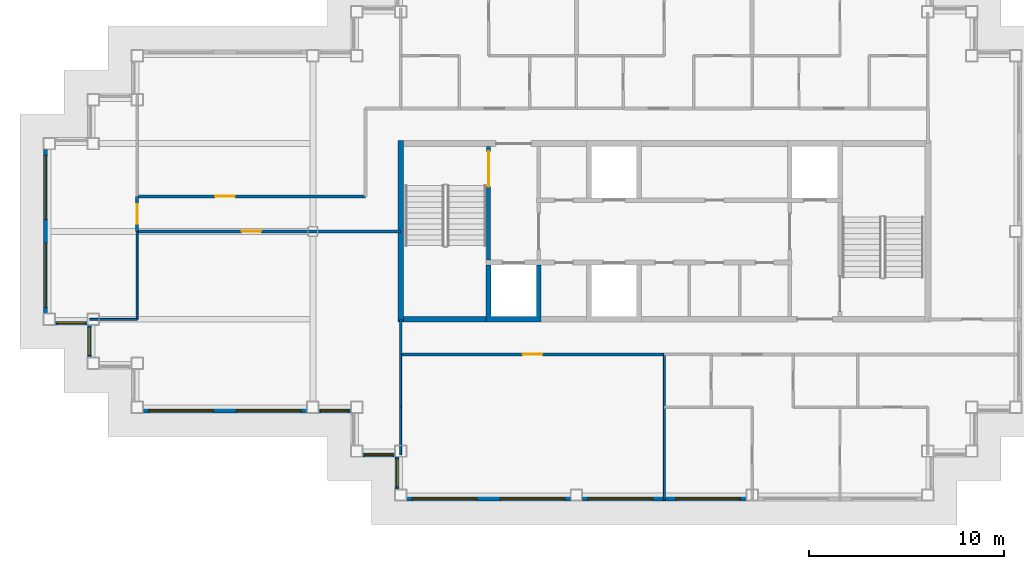
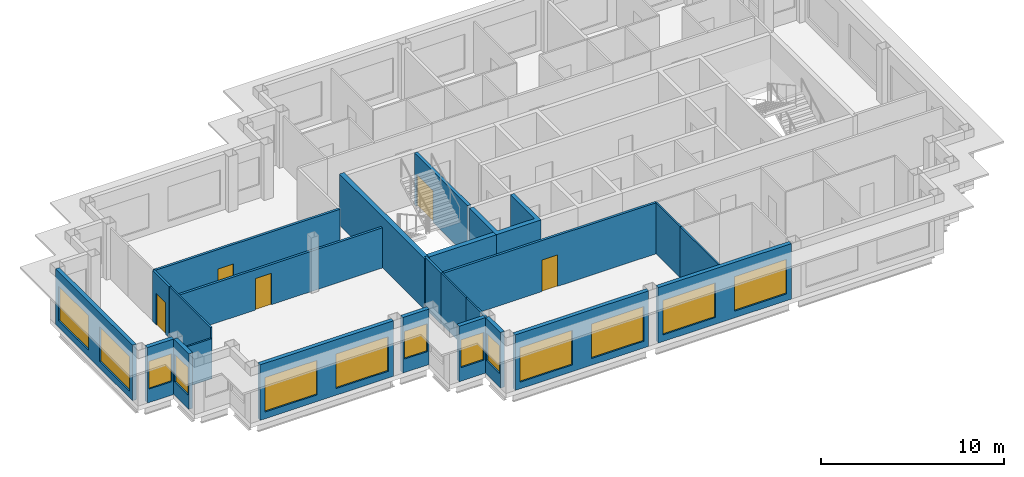
# One storey, part 2 of 11: 24 walls, 13 windows, 5 doors, 18 openings.
"""IFC4 building model written with IfcOpenShell, lengths in metres."""

from ifc_helpers import new_model, si_unit, direction, frame, frame_2d, origin, place, context, subcontext, project, spatial, polyline, rectangle, outline, extrude, material, layer, layer_set, type_object, element, fill, save


model = new_model("IFC4")

# Units and contexts
model_context = context("Model", 3, precision=1e-05, world=origin(), true_north=direction((0.0, 1.0)))
body_context = subcontext(model_context, "Body", "Model", "MODEL_VIEW")
ifc_project = project(units=[si_unit("LENGTHUNIT", "METRE"), si_unit("AREAUNIT", "SQUARE_METRE"), si_unit("VOLUMEUNIT", "CUBIC_METRE"), si_unit("PLANEANGLEUNIT", "RADIAN"), si_unit("MASSUNIT", "GRAM", prefix="KILO")], contexts=[model_context])

# Site, building, storey
site_placement = place(None, origin())
site = spatial("IfcSite", under=ifc_project, at=site_placement, CompositionType="ELEMENT")
building_placement = place(site_placement, origin())
building = spatial("IfcBuilding", under=site, at=building_placement, Name="Caravel Reach Hotel and Residences", CompositionType="ELEMENT")
storey_placement = place(building_placement, frame((0.0, 0.0, 271.199951171875)))
storey = spatial("IfcBuildingStorey", under=building, at=storey_placement, Name="L69", CompositionType="ELEMENT", Elevation=271.199951171875)

# Walls
ifc_material_1 = material(Name="Gypsum board on steel stud", Category="steel")
ifc_layer_1 = layer(ifc_material_1, 0.10009765625)
ifc_layer_set_1 = layer_set([ifc_layer_1], Name="Bathroom pod wall 100 mm")
wall_type_1 = type_object("IfcWallType", Name="Bathroom pod wall 100 mm", PredefinedType="PARTITIONING", material=ifc_layer_set_1)
wall_1_placement = place(storey_placement, frame((31.5, 18.0, 0.0), z_axis=(0.0, 0.0, 1.0), x_axis=(0.0, 1.0, 0.0)))
element("IfcWall", 1, at=wall_1_placement, inside=storey, type_object=wall_type_1, Name="L69 wall w066", PredefinedType="PARTITIONING", context=body_context, shape_type="SweptSolid", body=[
    extrude(rectangle(XDim=2.699951171875, YDim=0.10009765625, at=frame_2d((1.35009765625, 0.0))), origin(), (0.0, 0.0, 1.0), 3.400146484375),
])
ifc_material_2 = material(Name="Concrete C60", Category="concrete")
ifc_layer_2 = layer(ifc_material_2, 0.300048828125)
ifc_layer_set_2 = layer_set([ifc_layer_2], Name="Core wall 300 mm EI 120")
wall_type_2 = type_object("IfcWallType", Name="Core wall 300 mm EI 120", PredefinedType="SHEAR", material=ifc_layer_set_2)
wall_2_placement = place(storey_placement, frame((18.14990234375, 22.5, 0.0), z_axis=(0.0, 0.0, 1.0), x_axis=(1.0, 0.0, 0.0)))
element("IfcWall", 2, at=wall_2_placement, inside=storey, type_object=wall_type_2, Name="L69 core wall S1", PredefinedType="SHEAR", context=body_context, shape_type="SweptSolid", body=[
    extrude(rectangle(XDim=4.22509765625, YDim=0.300048828125, at=frame_2d((2.112548828125, 0.0))), origin(), (0.0, 0.0, 1.0), 3.400146484375),
])
wall_3_placement = place(storey_placement, frame((18.0, 22.35009765625, 0.0), z_axis=(0.0, 0.0, 1.0), x_axis=(0.0, 1.0, 0.0)))
element("IfcWall", 3, at=wall_3_placement, inside=storey, type_object=wall_type_2, Name="L69 core wall W", PredefinedType="SHEAR", context=body_context, shape_type="SweptSolid", body=[
    extrude(rectangle(XDim=9.2998046875, YDim=0.300048828125, at=frame_2d((4.64990234375, 0.0))), origin(), (0.0, 0.0, 1.0), 3.400146484375),
])

# Wall, opening, door
ifc_material_3 = material(Name="Gypsum board on steel stud, fire-rated", Category="steel")
ifc_layer_3 = layer(ifc_material_3, 0.14990234375)
ifc_layer_set_3 = layer_set([ifc_layer_3], Name="Corridor wall 150 mm EI 60")
wall_type_3 = type_object("IfcWallType", Name="Corridor wall 150 mm EI 60", PredefinedType="PARTITIONING", material=ifc_layer_set_3)
wall_4_placement = place(storey_placement, frame((18.0, 20.699951171875, 0.0), z_axis=(0.0, 0.0, 1.0), x_axis=(1.0, 0.0, 0.0)))
wall_4 = element("IfcWall", 4, at=wall_4_placement, inside=storey, type_object=wall_type_3, Name="L69 wall w001", PredefinedType="PARTITIONING", context=body_context, shape_type="SweptSolid", body=[
    extrude(rectangle(XDim=13.5, YDim=0.14990234375, at=frame_2d((6.75, 0.0))), origin(), (0.0, 0.0, 1.0), 3.400146484375),
])
opening_1_placement = place(wall_4_placement, frame((6.25, 0.0, 0.0)))
opening_1 = element("IfcOpeningElement", 5, at=opening_1_placement, cuts=wall_4, Name="Opening D69-031", PredefinedType="OPENING", context=body_context, shape_type="SweptSolid", body=[
    extrude(rectangle(XDim=1.0, YDim=2.10009765625, at=frame_2d((0.5, 1.050048828125))), frame((0.0, 0.0849609375, 0.0), z_axis=(0.0, -1.0, 0.0), x_axis=(1.0, 0.0, 0.0)), (0.0, 0.0, 1.0), 0.169921875),
])
ifc_material_4 = material(Name="Steel fire door leaf", Category="steel")
door_type_1 = type_object("IfcDoorType", Name="Fire door 1000 x 2100 EI 60", OperationType="SINGLE_SWING_LEFT", PredefinedType="DOOR", material=ifc_material_4)
door_1_placement = place(opening_1_placement, origin())
door_1 = element("IfcDoor", 6, at=door_1_placement, inside=storey, type_object=door_type_1, Name="door D69-031", OperationType="SINGLE_SWING_RIGHT", OverallHeight=2.10009765625, OverallWidth=1.0, PredefinedType="DOOR", context=body_context, shape_type="SweptSolid", body=[
    extrude(rectangle(XDim=1.0, YDim=2.10009765625, at=frame_2d((0.5, 1.050048828125))), frame((0.0, 0.02490234375, 0.0), z_axis=(0.0, -1.0, 0.0), x_axis=(1.0, 0.0, 0.0)), (0.0, 0.0, 1.0), 0.050048828125),
])
fill(opening_1, door_1)

wall_5_placement = place(storey_placement, frame((4.5, 27.0, 0.0), z_axis=(0.0, 0.0, 1.0), x_axis=(1.0, 0.0, 0.0)))
wall_5 = element("IfcWall", 7, at=wall_5_placement, inside=storey, type_object=wall_type_3, Name="L69 wall w007", PredefinedType="PARTITIONING", context=body_context, shape_type="SweptSolid", body=[
    extrude(rectangle(XDim=13.5, YDim=0.14990234375, at=frame_2d((6.75, 0.0))), origin(), (0.0, 0.0, 1.0), 2.679931640625),
])
opening_2_placement = place(wall_5_placement, frame((5.35009765625, 0.0, 0.0)))
opening_2 = element("IfcOpeningElement", 8, at=opening_2_placement, cuts=wall_5, Name="Opening D69-030", PredefinedType="OPENING", context=body_context, shape_type="SweptSolid", body=[
    extrude(rectangle(XDim=1.0, YDim=2.10009765625, at=frame_2d((0.5, 1.050048828125))), frame((0.0, 0.0849609375, 0.0), z_axis=(0.0, -1.0, 0.0), x_axis=(1.0, 0.0, 0.0)), (0.0, 0.0, 1.0), 0.169921875),
])
door_2_placement = place(opening_2_placement, origin())
door_2 = element("IfcDoor", 9, at=door_2_placement, inside=storey, type_object=door_type_1, Name="door D69-030", OperationType="SINGLE_SWING_LEFT", OverallHeight=2.10009765625, OverallWidth=1.0, PredefinedType="DOOR", context=body_context, shape_type="SweptSolid", body=[
    extrude(rectangle(XDim=1.0, YDim=2.10009765625, at=frame_2d((0.5, 1.050048828125))), frame((0.0, 0.02490234375, 0.0), z_axis=(0.0, -1.0, 0.0), x_axis=(1.0, 0.0, 0.0)), (0.0, 0.0, 1.0), 0.050048828125),
])
fill(opening_2, door_2)

wall_6_placement = place(storey_placement, frame((4.5, 28.800048828125, 0.0), z_axis=(0.0, 0.0, 1.0), x_axis=(1.0, 0.0, 0.0)))
wall_6 = element("IfcWall", 10, at=wall_6_placement, inside=storey, type_object=wall_type_3, Name="L69 wall w008", PredefinedType="PARTITIONING", context=body_context, shape_type="SweptSolid", body=[
    extrude(rectangle(XDim=11.698974609375, YDim=0.14990234375, at=frame_2d((5.849609375, 0.0))), origin(), (0.0, 0.0, 1.0), 3.400146484375),
])
opening_3_placement = place(wall_6_placement, frame((4.0, 0.0, 0.0)))
opening_3 = element("IfcOpeningElement", 11, at=opening_3_placement, cuts=wall_6, Name="Opening D69-029", PredefinedType="OPENING", context=body_context, shape_type="SweptSolid", body=[
    extrude(rectangle(XDim=1.0, YDim=2.10009765625, at=frame_2d((0.5, 1.050048828125))), frame((0.0, 0.0849609375, 0.0), z_axis=(0.0, -1.0, 0.0), x_axis=(1.0, 0.0, 0.0)), (0.0, 0.0, 1.0), 0.169921875),
])
door_3_placement = place(opening_3_placement, origin())
door_3 = element("IfcDoor", 12, at=door_3_placement, inside=storey, type_object=door_type_1, Name="door D69-029", OperationType="SINGLE_SWING_LEFT", OverallHeight=2.10009765625, OverallWidth=1.0, PredefinedType="DOOR", context=body_context, shape_type="SweptSolid", body=[
    extrude(rectangle(XDim=1.0, YDim=2.10009765625, at=frame_2d((0.5, 1.050048828125))), frame((0.0, 0.02490234375, 0.0), z_axis=(0.0, -1.0, 0.0), x_axis=(1.0, 0.0, 0.0)), (0.0, 0.0, 1.0), 0.050048828125),
])
fill(opening_3, door_3)

# Wall
wall_7_placement = place(storey_placement, frame((18.0, 20.699951171875, 0.0), z_axis=(0.0, 0.0, 1.0), x_axis=(0.0, 1.0, 0.0)))
element("IfcWall", 13, at=wall_7_placement, inside=storey, type_object=wall_type_3, Name="L69 wall w018", PredefinedType="PARTITIONING", context=body_context, shape_type="SweptSolid", body=[
    extrude(rectangle(XDim=1.800048828125, YDim=0.14990234375, at=frame_2d((0.89990234375, 0.0))), origin(), (0.0, 0.0, 1.0), 3.400146484375),
])

# Wall, opening, door
wall_8_placement = place(storey_placement, frame((4.5, 27.0, 0.0), z_axis=(0.0, 0.0, 1.0), x_axis=(0.0, 1.0, 0.0)))
wall_8 = element("IfcWall", 14, at=wall_8_placement, inside=storey, type_object=wall_type_3, Name="L69 wall w019", PredefinedType="PARTITIONING", context=body_context, shape_type="SweptSolid", body=[
    extrude(rectangle(XDim=1.800048828125, YDim=0.14990234375, at=frame_2d((0.89990234375, 0.0))), origin(), (0.0, 0.0, 1.0), 3.400146484375),
])
opening_4_placement = place(wall_8_placement, frame((0.39990234375, 0.0, 0.0)))
opening_4 = element("IfcOpeningElement", 15, at=opening_4_placement, cuts=wall_8, Name="Opening D69-038", PredefinedType="OPENING", context=body_context, shape_type="SweptSolid", body=[
    extrude(rectangle(XDim=1.0, YDim=2.10009765625, at=frame_2d((0.5, 1.050048828125))), frame((0.0, 0.0849609375, 0.0), z_axis=(0.0, -1.0, 0.0), x_axis=(1.0, 0.0, 0.0)), (0.0, 0.0, 1.0), 0.169921875),
])
door_4_placement = place(opening_4_placement, origin())
door_4 = element("IfcDoor", 16, at=door_4_placement, inside=storey, type_object=door_type_1, Name="door D69-038", OperationType="SINGLE_SWING_LEFT", OverallHeight=2.10009765625, OverallWidth=1.0, PredefinedType="DOOR", context=body_context, shape_type="SweptSolid", body=[
    extrude(rectangle(XDim=1.0, YDim=2.10009765625, at=frame_2d((0.5, 1.050048828125))), frame((0.0, 0.02490234375, 0.0), z_axis=(0.0, -1.0, 0.0), x_axis=(1.0, 0.0, 0.0)), (0.0, 0.0, 1.0), 0.050048828125),
])
fill(opening_4, door_4)

# Wall, opening, window
ifc_material_5 = material(Name="Insulated rainscreen wall, aluminium cladding", Category="aluminium")
ifc_layer_4 = layer(ifc_material_5, 0.25)
ifc_layer_set_4 = layer_set([ifc_layer_4], Name="EW1 Tower rainscreen wall")
wall_type_4 = type_object("IfcWallType", Name="EW1 Tower rainscreen wall", PredefinedType="SOLIDWALL", material=ifc_layer_set_4)
wall_9_placement = place(storey_placement, frame((16.050048828125, 15.574951171875, 0.0), z_axis=(0.0, 0.0, 1.0), x_axis=(1.0, 0.0, 0.0)))
wall_9 = element("IfcWall", 17, at=wall_9_placement, inside=storey, type_object=wall_type_4, Name="External wall L69 S2.1", PredefinedType="SOLIDWALL", context=body_context, shape_type="SweptSolid", body=[
    extrude(rectangle(XDim=1.64990234375, YDim=0.25, at=frame_2d((0.824951171875, 0.0))), origin(), (0.0, 0.0, 1.0), 3.699951171875),
])
opening_5_placement = place(wall_9_placement, frame((0.10009765625, 0.0, 0.89990234375)))
opening_5 = element("IfcOpeningElement", 18, at=opening_5_placement, cuts=wall_9, Name="Opening WN25", PredefinedType="OPENING", context=body_context, shape_type="SweptSolid", body=[
    extrude(rectangle(XDim=1.449951171875, YDim=1.85009765625, at=frame_2d((0.72509765625, 0.925048828125))), frame((0.0, 0.135009765625, 0.0), z_axis=(0.0, -1.0, 0.0), x_axis=(1.0, 0.0, 0.0)), (0.0, 0.0, 1.0), 0.27001953125),
])
ifc_material_6 = material(Name="Dark low-e glazing in black aluminium frame", Category="aluminium")
window_type_1 = type_object("IfcWindowType", Name="Residence bedroom window 1450 x 1850", PartitioningType="SINGLE_PANEL", PredefinedType="WINDOW", material=ifc_material_6)
window_1_placement = place(opening_5_placement, origin())
window_1 = element("IfcWindow", 19, at=window_1_placement, inside=storey, type_object=window_type_1, Name="Window L69 S2.1.1", OverallHeight=1.85009765625, OverallWidth=1.449951171875, PartitioningType="SINGLE_PANEL", PredefinedType="WINDOW", context=body_context, shape_type="SweptSolid", body=[
    extrude(rectangle(XDim=1.449951171875, YDim=1.85009765625, at=frame_2d((0.72509765625, 0.925048828125))), frame((0.0, 0.030029296875, 0.0), z_axis=(0.0, -1.0, 0.0), x_axis=(1.0, 0.0, 0.0)), (0.0, 0.0, 1.0), 0.06005859375),
])
fill(opening_5, window_1)

wall_10_placement = place(storey_placement, frame((17.824951171875, 15.449951171875, 0.0), z_axis=(0.0, 0.0, 1.0), x_axis=(0.0, -1.0, 0.0)))
wall_10 = element("IfcWall", 20, at=wall_10_placement, inside=storey, type_object=wall_type_4, Name="External wall L69 W3.1", PredefinedType="SOLIDWALL", context=body_context, shape_type="SweptSolid", body=[
    extrude(rectangle(XDim=1.64990234375, YDim=0.25, at=frame_2d((0.824951171875, 0.0))), origin(), (0.0, 0.0, 1.0), 3.699951171875),
])
opening_6_placement = place(wall_10_placement, frame((0.10009765625, 0.0, 0.89990234375)))
opening_6 = element("IfcOpeningElement", 21, at=opening_6_placement, cuts=wall_10, Name="Opening WN25", PredefinedType="OPENING", context=body_context, shape_type="SweptSolid", body=[
    extrude(rectangle(XDim=1.449951171875, YDim=1.85009765625, at=frame_2d((0.72509765625, 0.925048828125))), frame((0.0, 0.135009765625, 0.0), z_axis=(0.0, -1.0, 0.0), x_axis=(1.0, 0.0, 0.0)), (0.0, 0.0, 1.0), 0.27001953125),
])
window_2_placement = place(opening_6_placement, origin())
window_2 = element("IfcWindow", 22, at=window_2_placement, inside=storey, type_object=window_type_1, Name="Window L69 W3.1.1", OverallHeight=1.85009765625, OverallWidth=1.449951171875, PartitioningType="SINGLE_PANEL", PredefinedType="WINDOW", context=body_context, shape_type="SweptSolid", body=[
    extrude(rectangle(XDim=1.449951171875, YDim=1.85009765625, at=frame_2d((0.72509765625, 0.925048828125))), frame((0.0, 0.030029296875, 0.0), z_axis=(0.0, -1.0, 0.0), x_axis=(1.0, 0.0, 0.0)), (0.0, 0.0, 1.0), 0.06005859375),
])
fill(opening_6, window_2)

# Wall, openings, windows
wall_11_placement = place(storey_placement, frame((18.300048828125, 13.324951171875, 0.0), z_axis=(0.0, 0.0, 1.0), x_axis=(1.0, 0.0, 0.0)))
wall_11 = element("IfcWall", 23, at=wall_11_placement, inside=storey, type_object=wall_type_4, Name="External wall L69 S4.1", PredefinedType="SOLIDWALL", context=body_context, shape_type="SweptSolid", body=[
    extrude(rectangle(XDim=8.39990234375, YDim=0.25, at=frame_2d((4.199951171875, 0.0))), origin(), (0.0, 0.0, 1.0), 3.699951171875),
])
opening_7_placement = place(wall_11_placement, frame((0.300048828125, 0.0, 0.449951171875)))
opening_7 = element("IfcOpeningElement", 24, at=opening_7_placement, cuts=wall_11, Name="Opening WN15", PredefinedType="OPENING", context=body_context, shape_type="SweptSolid", body=[
    extrude(rectangle(XDim=3.300048828125, YDim=2.300048828125, at=frame_2d((1.64990234375, 1.14990234375))), frame((0.0, 0.135009765625, 0.0), z_axis=(0.0, -1.0, 0.0), x_axis=(1.0, 0.0, 0.0)), (0.0, 0.0, 1.0), 0.27001953125),
])
opening_8_placement = place(wall_11_placement, frame((4.800048828125, 0.0, 0.449951171875)))
opening_8 = element("IfcOpeningElement", 25, at=opening_8_placement, cuts=wall_11, Name="Opening WN15", PredefinedType="OPENING", context=body_context, shape_type="SweptSolid", body=[
    extrude(rectangle(XDim=3.300048828125, YDim=2.300048828125, at=frame_2d((1.64990234375, 1.14990234375))), frame((0.0, 0.135009765625, 0.0), z_axis=(0.0, -1.0, 0.0), x_axis=(1.0, 0.0, 0.0)), (0.0, 0.0, 1.0), 0.27001953125),
])
ifc_material_7 = material(Name="Dark low-e glazing in black aluminium frame", Category="aluminium")
window_type_2 = type_object("IfcWindowType", Name="Residence living window 3300 x 2300", PartitioningType="SINGLE_PANEL", PredefinedType="WINDOW", material=ifc_material_7)
window_3_placement = place(opening_7_placement, origin())
window_3 = element("IfcWindow", 26, at=window_3_placement, inside=storey, type_object=window_type_2, Name="Window L69 S4.1.1", OverallHeight=2.300048828125, OverallWidth=3.300048828125, PartitioningType="SINGLE_PANEL", PredefinedType="WINDOW", context=body_context, shape_type="SweptSolid", body=[
    extrude(rectangle(XDim=3.300048828125, YDim=2.300048828125, at=frame_2d((1.64990234375, 1.14990234375))), frame((0.0, 0.030029296875, 0.0), z_axis=(0.0, -1.0, 0.0), x_axis=(1.0, 0.0, 0.0)), (0.0, 0.0, 1.0), 0.06005859375),
])
fill(opening_7, window_3)
window_4_placement = place(opening_8_placement, origin())
window_4 = element("IfcWindow", 27, at=window_4_placement, inside=storey, type_object=window_type_2, Name="Window L69 S4.1.2", OverallHeight=2.300048828125, OverallWidth=3.300048828125, PartitioningType="SINGLE_PANEL", PredefinedType="WINDOW", context=body_context, shape_type="SweptSolid", body=[
    extrude(rectangle(XDim=3.300048828125, YDim=2.300048828125, at=frame_2d((1.64990234375, 1.14990234375))), frame((0.0, 0.030029296875, 0.0), z_axis=(0.0, -1.0, 0.0), x_axis=(1.0, 0.0, 0.0)), (0.0, 0.0, 1.0), 0.06005859375),
])
fill(opening_8, window_4)

wall_12_placement = place(storey_placement, frame((27.300048828125, 13.324951171875, 0.0), z_axis=(0.0, 0.0, 1.0), x_axis=(1.0, 0.0, 0.0)))
wall_12 = element("IfcWall", 28, at=wall_12_placement, inside=storey, type_object=wall_type_4, Name="External wall L69 S4.2", PredefinedType="SOLIDWALL", context=body_context, shape_type="SweptSolid", body=[
    extrude(rectangle(XDim=8.39990234375, YDim=0.25, at=frame_2d((4.199951171875, 0.0))), origin(), (0.0, 0.0, 1.0), 3.699951171875),
])
opening_9_placement = place(wall_12_placement, frame((0.300048828125, 0.0, 0.449951171875)))
opening_9 = element("IfcOpeningElement", 29, at=opening_9_placement, cuts=wall_12, Name="Opening WN15", PredefinedType="OPENING", context=body_context, shape_type="SweptSolid", body=[
    extrude(rectangle(XDim=3.300048828125, YDim=2.300048828125, at=frame_2d((1.64990234375, 1.14990234375))), frame((0.0, 0.135009765625, 0.0), z_axis=(0.0, -1.0, 0.0), x_axis=(1.0, 0.0, 0.0)), (0.0, 0.0, 1.0), 0.27001953125),
])
opening_10_placement = place(wall_12_placement, frame((4.800048828125, 0.0, 0.449951171875)))
opening_10 = element("IfcOpeningElement", 30, at=opening_10_placement, cuts=wall_12, Name="Opening WN15", PredefinedType="OPENING", context=body_context, shape_type="SweptSolid", body=[
    extrude(rectangle(XDim=3.300048828125, YDim=2.300048828125, at=frame_2d((1.64990234375, 1.14990234375))), frame((0.0, 0.135009765625, 0.0), z_axis=(0.0, -1.0, 0.0), x_axis=(1.0, 0.0, 0.0)), (0.0, 0.0, 1.0), 0.27001953125),
])
window_5_placement = place(opening_9_placement, origin())
window_5 = element("IfcWindow", 31, at=window_5_placement, inside=storey, type_object=window_type_2, Name="Window L69 S4.2.1", OverallHeight=2.300048828125, OverallWidth=3.300048828125, PartitioningType="SINGLE_PANEL", PredefinedType="WINDOW", context=body_context, shape_type="SweptSolid", body=[
    extrude(rectangle(XDim=3.300048828125, YDim=2.300048828125, at=frame_2d((1.64990234375, 1.14990234375))), frame((0.0, 0.030029296875, 0.0), z_axis=(0.0, -1.0, 0.0), x_axis=(1.0, 0.0, 0.0)), (0.0, 0.0, 1.0), 0.06005859375),
])
fill(opening_9, window_5)
window_6_placement = place(opening_10_placement, origin())
window_6 = element("IfcWindow", 32, at=window_6_placement, inside=storey, type_object=window_type_2, Name="Window L69 S4.2.2", OverallHeight=2.300048828125, OverallWidth=3.300048828125, PartitioningType="SINGLE_PANEL", PredefinedType="WINDOW", context=body_context, shape_type="SweptSolid", body=[
    extrude(rectangle(XDim=3.300048828125, YDim=2.300048828125, at=frame_2d((1.64990234375, 1.14990234375))), frame((0.0, 0.030029296875, 0.0), z_axis=(0.0, -1.0, 0.0), x_axis=(1.0, 0.0, 0.0)), (0.0, 0.0, 1.0), 0.06005859375),
])
fill(opening_10, window_6)

wall_13_placement = place(storey_placement, frame((-0.175048828125, 31.199951171875, 0.0), z_axis=(0.0, 0.0, 1.0), x_axis=(0.0, -1.0, 0.0)))
wall_13 = element("IfcWall", 33, at=wall_13_placement, inside=storey, type_object=wall_type_4, Name="External wall L69 W23.1", PredefinedType="SOLIDWALL", context=body_context, shape_type="SweptSolid", body=[
    extrude(rectangle(XDim=8.39990234375, YDim=0.25, at=frame_2d((4.199951171875, 0.0))), origin(), (0.0, 0.0, 1.0), 3.699951171875),
])
opening_11_placement = place(wall_13_placement, frame((0.300048828125, 0.0, 0.449951171875)))
opening_11 = element("IfcOpeningElement", 34, at=opening_11_placement, cuts=wall_13, Name="Opening WN15", PredefinedType="OPENING", context=body_context, shape_type="SweptSolid", body=[
    extrude(rectangle(XDim=3.300048828125, YDim=2.300048828125, at=frame_2d((1.64990234375, 1.14990234375))), frame((0.0, 0.135009765625, 0.0), z_axis=(0.0, -1.0, 0.0), x_axis=(1.0, 0.0, 0.0)), (0.0, 0.0, 1.0), 0.27001953125),
])
opening_12_placement = place(wall_13_placement, frame((4.800048828125, 0.0, 0.449951171875)))
opening_12 = element("IfcOpeningElement", 35, at=opening_12_placement, cuts=wall_13, Name="Opening WN15", PredefinedType="OPENING", context=body_context, shape_type="SweptSolid", body=[
    extrude(rectangle(XDim=3.300048828125, YDim=2.300048828125, at=frame_2d((1.64990234375, 1.14990234375))), frame((0.0, 0.135009765625, 0.0), z_axis=(0.0, -1.0, 0.0), x_axis=(1.0, 0.0, 0.0)), (0.0, 0.0, 1.0), 0.27001953125),
])
window_7_placement = place(opening_11_placement, origin())
window_7 = element("IfcWindow", 36, at=window_7_placement, inside=storey, type_object=window_type_2, Name="Window L69 W23.1.1", OverallHeight=2.300048828125, OverallWidth=3.300048828125, PartitioningType="SINGLE_PANEL", PredefinedType="WINDOW", context=body_context, shape_type="SweptSolid", body=[
    extrude(rectangle(XDim=3.300048828125, YDim=2.300048828125, at=frame_2d((1.64990234375, 1.14990234375))), frame((0.0, 0.030029296875, 0.0), z_axis=(0.0, -1.0, 0.0), x_axis=(1.0, 0.0, 0.0)), (0.0, 0.0, 1.0), 0.06005859375),
])
fill(opening_11, window_7)
window_8_placement = place(opening_12_placement, origin())
window_8 = element("IfcWindow", 37, at=window_8_placement, inside=storey, type_object=window_type_2, Name="Window L69 W23.1.2", OverallHeight=2.300048828125, OverallWidth=3.300048828125, PartitioningType="SINGLE_PANEL", PredefinedType="WINDOW", context=body_context, shape_type="SweptSolid", body=[
    extrude(rectangle(XDim=3.300048828125, YDim=2.300048828125, at=frame_2d((1.64990234375, 1.14990234375))), frame((0.0, 0.030029296875, 0.0), z_axis=(0.0, -1.0, 0.0), x_axis=(1.0, 0.0, 0.0)), (0.0, 0.0, 1.0), 0.06005859375),
])
fill(opening_12, window_8)

# Wall, opening, window
wall_14_placement = place(storey_placement, frame((0.300048828125, 22.324951171875, 0.0), z_axis=(0.0, 0.0, 1.0), x_axis=(1.0, 0.0, 0.0)))
wall_14 = element("IfcWall", 38, at=wall_14_placement, inside=storey, type_object=wall_type_4, Name="External wall L69 S24.1", PredefinedType="SOLIDWALL", context=body_context, shape_type="SweptSolid", body=[
    extrude(rectangle(XDim=1.64990234375, YDim=0.25, at=frame_2d((0.824951171875, 0.0))), origin(), (0.0, 0.0, 1.0), 3.699951171875),
])
opening_13_placement = place(wall_14_placement, frame((0.10009765625, 0.0, 0.89990234375)))
opening_13 = element("IfcOpeningElement", 39, at=opening_13_placement, cuts=wall_14, Name="Opening WN25", PredefinedType="OPENING", context=body_context, shape_type="SweptSolid", body=[
    extrude(rectangle(XDim=1.449951171875, YDim=1.85009765625, at=frame_2d((0.72509765625, 0.925048828125))), frame((0.0, 0.135009765625, 0.0), z_axis=(0.0, -1.0, 0.0), x_axis=(1.0, 0.0, 0.0)), (0.0, 0.0, 1.0), 0.27001953125),
])
window_9_placement = place(opening_13_placement, origin())
window_9 = element("IfcWindow", 40, at=window_9_placement, inside=storey, type_object=window_type_1, Name="Window L69 S24.1.1", OverallHeight=1.85009765625, OverallWidth=1.449951171875, PartitioningType="SINGLE_PANEL", PredefinedType="WINDOW", context=body_context, shape_type="SweptSolid", body=[
    extrude(rectangle(XDim=1.449951171875, YDim=1.85009765625, at=frame_2d((0.72509765625, 0.925048828125))), frame((0.0, 0.030029296875, 0.0), z_axis=(0.0, -1.0, 0.0), x_axis=(1.0, 0.0, 0.0)), (0.0, 0.0, 1.0), 0.06005859375),
])
fill(opening_13, window_9)

wall_15_placement = place(storey_placement, frame((2.074951171875, 22.199951171875, 0.0), z_axis=(0.0, 0.0, 1.0), x_axis=(0.0, -1.0, 0.0)))
wall_15 = element("IfcWall", 41, at=wall_15_placement, inside=storey, type_object=wall_type_4, Name="External wall L69 W25.1", PredefinedType="SOLIDWALL", context=body_context, shape_type="SweptSolid", body=[
    extrude(rectangle(XDim=1.64990234375, YDim=0.25, at=frame_2d((0.824951171875, 0.0))), origin(), (0.0, 0.0, 1.0), 3.699951171875),
])
opening_14_placement = place(wall_15_placement, frame((0.10009765625, 0.0, 0.89990234375)))
opening_14 = element("IfcOpeningElement", 42, at=opening_14_placement, cuts=wall_15, Name="Opening WN25", PredefinedType="OPENING", context=body_context, shape_type="SweptSolid", body=[
    extrude(rectangle(XDim=1.449951171875, YDim=1.85009765625, at=frame_2d((0.72509765625, 0.925048828125))), frame((0.0, 0.135009765625, 0.0), z_axis=(0.0, -1.0, 0.0), x_axis=(1.0, 0.0, 0.0)), (0.0, 0.0, 1.0), 0.27001953125),
])
window_10_placement = place(opening_14_placement, origin())
window_10 = element("IfcWindow", 43, at=window_10_placement, inside=storey, type_object=window_type_1, Name="Window L69 W25.1.1", OverallHeight=1.85009765625, OverallWidth=1.449951171875, PartitioningType="SINGLE_PANEL", PredefinedType="WINDOW", context=body_context, shape_type="SweptSolid", body=[
    extrude(rectangle(XDim=1.449951171875, YDim=1.85009765625, at=frame_2d((0.72509765625, 0.925048828125))), frame((0.0, 0.030029296875, 0.0), z_axis=(0.0, -1.0, 0.0), x_axis=(1.0, 0.0, 0.0)), (0.0, 0.0, 1.0), 0.06005859375),
])
fill(opening_14, window_10)

# Wall, openings, windows
wall_16_placement = place(storey_placement, frame((4.800048828125, 17.824951171875, 0.0), z_axis=(0.0, 0.0, 1.0), x_axis=(1.0, 0.0, 0.0)))
wall_16 = element("IfcWall", 44, at=wall_16_placement, inside=storey, type_object=wall_type_4, Name="External wall L69 S28.1", PredefinedType="SOLIDWALL", context=body_context, shape_type="SweptSolid", body=[
    extrude(rectangle(XDim=8.39990234375, YDim=0.25, at=frame_2d((4.199951171875, 0.0))), origin(), (0.0, 0.0, 1.0), 3.699951171875),
])
opening_15_placement = place(wall_16_placement, frame((0.300048828125, 0.0, 0.449951171875)))
opening_15 = element("IfcOpeningElement", 45, at=opening_15_placement, cuts=wall_16, Name="Opening WN15", PredefinedType="OPENING", context=body_context, shape_type="SweptSolid", body=[
    extrude(rectangle(XDim=3.300048828125, YDim=2.300048828125, at=frame_2d((1.64990234375, 1.14990234375))), frame((0.0, 0.135009765625, 0.0), z_axis=(0.0, -1.0, 0.0), x_axis=(1.0, 0.0, 0.0)), (0.0, 0.0, 1.0), 0.27001953125),
])
opening_16_placement = place(wall_16_placement, frame((4.800048828125, 0.0, 0.449951171875)))
opening_16 = element("IfcOpeningElement", 46, at=opening_16_placement, cuts=wall_16, Name="Opening WN15", PredefinedType="OPENING", context=body_context, shape_type="SweptSolid", body=[
    extrude(rectangle(XDim=3.300048828125, YDim=2.300048828125, at=frame_2d((1.64990234375, 1.14990234375))), frame((0.0, 0.135009765625, 0.0), z_axis=(0.0, -1.0, 0.0), x_axis=(1.0, 0.0, 0.0)), (0.0, 0.0, 1.0), 0.27001953125),
])
window_11_placement = place(opening_15_placement, origin())
window_11 = element("IfcWindow", 47, at=window_11_placement, inside=storey, type_object=window_type_2, Name="Window L69 S28.1.1", OverallHeight=2.300048828125, OverallWidth=3.300048828125, PartitioningType="SINGLE_PANEL", PredefinedType="WINDOW", context=body_context, shape_type="SweptSolid", body=[
    extrude(rectangle(XDim=3.300048828125, YDim=2.300048828125, at=frame_2d((1.64990234375, 1.14990234375))), frame((0.0, 0.030029296875, 0.0), z_axis=(0.0, -1.0, 0.0), x_axis=(1.0, 0.0, 0.0)), (0.0, 0.0, 1.0), 0.06005859375),
])
fill(opening_15, window_11)
window_12_placement = place(opening_16_placement, origin())
window_12 = element("IfcWindow", 48, at=window_12_placement, inside=storey, type_object=window_type_2, Name="Window L69 S28.1.2", OverallHeight=2.300048828125, OverallWidth=3.300048828125, PartitioningType="SINGLE_PANEL", PredefinedType="WINDOW", context=body_context, shape_type="SweptSolid", body=[
    extrude(rectangle(XDim=3.300048828125, YDim=2.300048828125, at=frame_2d((1.64990234375, 1.14990234375))), frame((0.0, 0.030029296875, 0.0), z_axis=(0.0, -1.0, 0.0), x_axis=(1.0, 0.0, 0.0)), (0.0, 0.0, 1.0), 0.06005859375),
])
fill(opening_16, window_12)

# Wall, opening, window
wall_17_placement = place(storey_placement, frame((13.800048828125, 17.824951171875, 0.0), z_axis=(0.0, 0.0, 1.0), x_axis=(1.0, 0.0, 0.0)))
wall_17 = element("IfcWall", 49, at=wall_17_placement, inside=storey, type_object=wall_type_4, Name="External wall L69 S28.2", PredefinedType="SOLIDWALL", context=body_context, shape_type="SweptSolid", body=[
    extrude(rectangle(XDim=1.64990234375, YDim=0.25, at=frame_2d((0.824951171875, 0.0))), origin(), (0.0, 0.0, 1.0), 3.699951171875),
])
opening_17_placement = place(wall_17_placement, frame((0.10009765625, 0.0, 0.89990234375)))
opening_17 = element("IfcOpeningElement", 50, at=opening_17_placement, cuts=wall_17, Name="Opening WN25", PredefinedType="OPENING", context=body_context, shape_type="SweptSolid", body=[
    extrude(rectangle(XDim=1.449951171875, YDim=1.85009765625, at=frame_2d((0.72509765625, 0.925048828125))), frame((0.0, 0.135009765625, 0.0), z_axis=(0.0, -1.0, 0.0), x_axis=(1.0, 0.0, 0.0)), (0.0, 0.0, 1.0), 0.27001953125),
])
window_13_placement = place(opening_17_placement, origin())
window_13 = element("IfcWindow", 51, at=window_13_placement, inside=storey, type_object=window_type_1, Name="Window L69 S28.2.1", OverallHeight=1.85009765625, OverallWidth=1.449951171875, PartitioningType="SINGLE_PANEL", PredefinedType="WINDOW", context=body_context, shape_type="SweptSolid", body=[
    extrude(rectangle(XDim=1.449951171875, YDim=1.85009765625, at=frame_2d((0.72509765625, 0.925048828125))), frame((0.0, 0.030029296875, 0.0), z_axis=(0.0, -1.0, 0.0), x_axis=(1.0, 0.0, 0.0)), (0.0, 0.0, 1.0), 0.06005859375),
])
fill(opening_17, window_13)

# Walls
ifc_material_8 = material(Name="Gypsum board on steel stud", Category="steel")
ifc_layer_5 = layer(ifc_material_8, 0.10009765625)
ifc_layer_set_5 = layer_set([ifc_layer_5], Name="Partition 100 mm")
wall_type_5 = type_object("IfcWallType", Name="Partition 100 mm", PredefinedType="PARTITIONING", material=ifc_layer_set_5)
wall_18_placement = place(storey_placement, frame((2.06005859375, 22.5, 0.0), z_axis=(0.0, 0.0, 1.0), x_axis=(1.0, 0.0, 0.0)))
element("IfcWall", 52, at=wall_18_placement, inside=storey, type_object=wall_type_5, Name="L69 wall w025", PredefinedType="PARTITIONING", context=body_context, shape_type="SweptSolid", body=[
    extrude(rectangle(XDim=2.43896484375, YDim=0.10009765625, at=frame_2d((1.219482421875, 0.0))), origin(), (0.0, 0.0, 1.0), 2.679931640625),
])
wall_19_placement = place(storey_placement, frame((18.0, 15.56005859375, 0.0), z_axis=(0.0, 0.0, 1.0), x_axis=(0.0, 1.0, 0.0)))
element("IfcWall", 53, at=wall_19_placement, inside=storey, type_object=wall_type_5, Name="L69 wall w034", PredefinedType="PARTITIONING", context=body_context, shape_type="SweptSolid", body=[
    extrude(rectangle(XDim=2.43896484375, YDim=0.10009765625, at=frame_2d((1.219482421875, 0.0))), origin(), (0.0, 0.0, 1.0), 3.400146484375),
])
wall_20_placement = place(storey_placement, frame((18.0, 18.0, 0.0), z_axis=(0.0, 0.0, 1.0), x_axis=(0.0, 1.0, 0.0)))
element("IfcWall", 54, at=wall_20_placement, inside=storey, type_object=wall_type_5, Name="L69 wall w035", PredefinedType="PARTITIONING", context=body_context, shape_type="SweptSolid", body=[
    extrude(rectangle(XDim=2.699951171875, YDim=0.10009765625, at=frame_2d((1.35009765625, 0.0))), origin(), (0.0, 0.0, 1.0), 3.400146484375),
])
wall_21_placement = place(storey_placement, frame((31.5, 13.260009765625, 0.0), z_axis=(0.0, 0.0, 1.0), x_axis=(0.0, 1.0, 0.0)))
element("IfcWall", 55, at=wall_21_placement, inside=storey, type_object=wall_type_5, Name="L69 wall w039", PredefinedType="PARTITIONING", context=body_context, shape_type="SweptSolid", body=[
    extrude(rectangle(XDim=4.739990234375, YDim=0.10009765625, at=frame_2d((2.3701171875, 0.0))), origin(), (0.0, 0.0, 1.0), 3.400146484375),
])
wall_22_placement = place(storey_placement, frame((4.5, 22.5, 0.0), z_axis=(0.0, 0.0, 1.0), x_axis=(0.0, 1.0, 0.0)))
element("IfcWall", 56, at=wall_22_placement, inside=storey, type_object=wall_type_5, Name="L69 wall w045", PredefinedType="PARTITIONING", context=body_context, shape_type="SweptSolid", body=[
    extrude(rectangle(XDim=4.5, YDim=0.10009765625, at=frame_2d((2.25, 0.0))), origin(), (0.0, 0.0, 1.0), 3.400146484375),
])
ifc_material_9 = material(Name="Concrete C60", Category="concrete")
ifc_layer_6 = layer(ifc_material_9, 0.25)
ifc_layer_set_6 = layer_set([ifc_layer_6], Name="Shaft wall 250 mm EI 120")
wall_type_6 = type_object("IfcWallType", Name="Shaft wall 250 mm EI 120", PredefinedType="SHEAR", material=ifc_layer_set_6)
wall_23_placement = place(storey_placement, origin())
element("IfcWall", 57, at=wall_23_placement, inside=storey, type_object=wall_type_6, Name="L69 lift shaft wall S1", PredefinedType="SHEAR", context=body_context, shape_type="SweptSolid", body=[
    extrude(outline(polyline([(22.375, 22.35009765625), (25.196533203125, 22.35009765625), (25.196533203125, 25.27490234375), (24.946533203125, 25.27490234375), (24.946533203125, 22.64990234375), (22.625, 22.64990234375), (22.625, 25.27490234375), (22.375, 25.27490234375), (22.375, 22.35009765625)])), origin(), (0.0, 0.0, 1.0), 3.400146484375),
])

# Wall, opening, door
ifc_material_10 = material(Name="Concrete C60", Category="concrete")
ifc_layer_7 = layer(ifc_material_10, 0.199951171875)
ifc_layer_set_7 = layer_set([ifc_layer_7], Name="Stair enclosure wall 200 mm EI 120")
wall_type_7 = type_object("IfcWallType", Name="Stair enclosure wall 200 mm EI 120", PredefinedType="SHEAR", material=ifc_layer_set_7)
wall_24_placement = place(storey_placement, frame((22.5, 31.35009765625, 0.0), z_axis=(0.0, 0.0, 1.0), x_axis=(0.0, -1.0, 0.0)))
wall_24 = element("IfcWall", 58, at=wall_24_placement, inside=storey, type_object=wall_type_7, Name="L69 stair A wall", PredefinedType="SHEAR", context=body_context, shape_type="SweptSolid", body=[
    extrude(rectangle(XDim=5.8251953125, YDim=0.199951171875, at=frame_2d((2.91259765625, 0.0))), origin(), (0.0, 0.0, 1.0), 3.400146484375),
])
opening_18_placement = place(wall_24_placement, frame((0.25, 0.0, 0.0)))
opening_18 = element("IfcOpeningElement", 59, at=opening_18_placement, cuts=wall_24, Name="Opening D69-011", PredefinedType="OPENING", context=body_context, shape_type="SweptSolid", body=[
    extrude(rectangle(XDim=1.800048828125, YDim=2.10009765625, at=frame_2d((0.89990234375, 1.050048828125))), frame((0.0, 0.10986328125, 0.0), z_axis=(0.0, -1.0, 0.0), x_axis=(1.0, 0.0, 0.0)), (0.0, 0.0, 1.0), 0.219970703125),
])
ifc_material_11 = material(Name="Steel fire door leaf", Category="steel")
door_type_2 = type_object("IfcDoorType", Name="Stair door pair 1800 x 2100 EI 90", OperationType="DOUBLE_DOOR_SINGLE_SWING", PredefinedType="DOOR", material=ifc_material_11)
door_5_placement = place(opening_18_placement, origin())
door_5 = element("IfcDoor", 60, at=door_5_placement, inside=storey, type_object=door_type_2, Name="stair A door pair", OperationType="DOUBLE_DOOR_SINGLE_SWING", OverallHeight=2.10009765625, OverallWidth=1.800048828125, PredefinedType="DOOR", context=body_context, shape_type="SweptSolid", body=[
    extrude(rectangle(XDim=1.800048828125, YDim=2.10009765625, at=frame_2d((0.89990234375, 1.050048828125))), frame((0.0, 0.02490234375, 0.0), z_axis=(0.0, -1.0, 0.0), x_axis=(1.0, 0.0, 0.0)), (0.0, 0.0, 1.0), 0.050048828125),
])
fill(opening_18, door_5)

save(model, "model.ifc")
